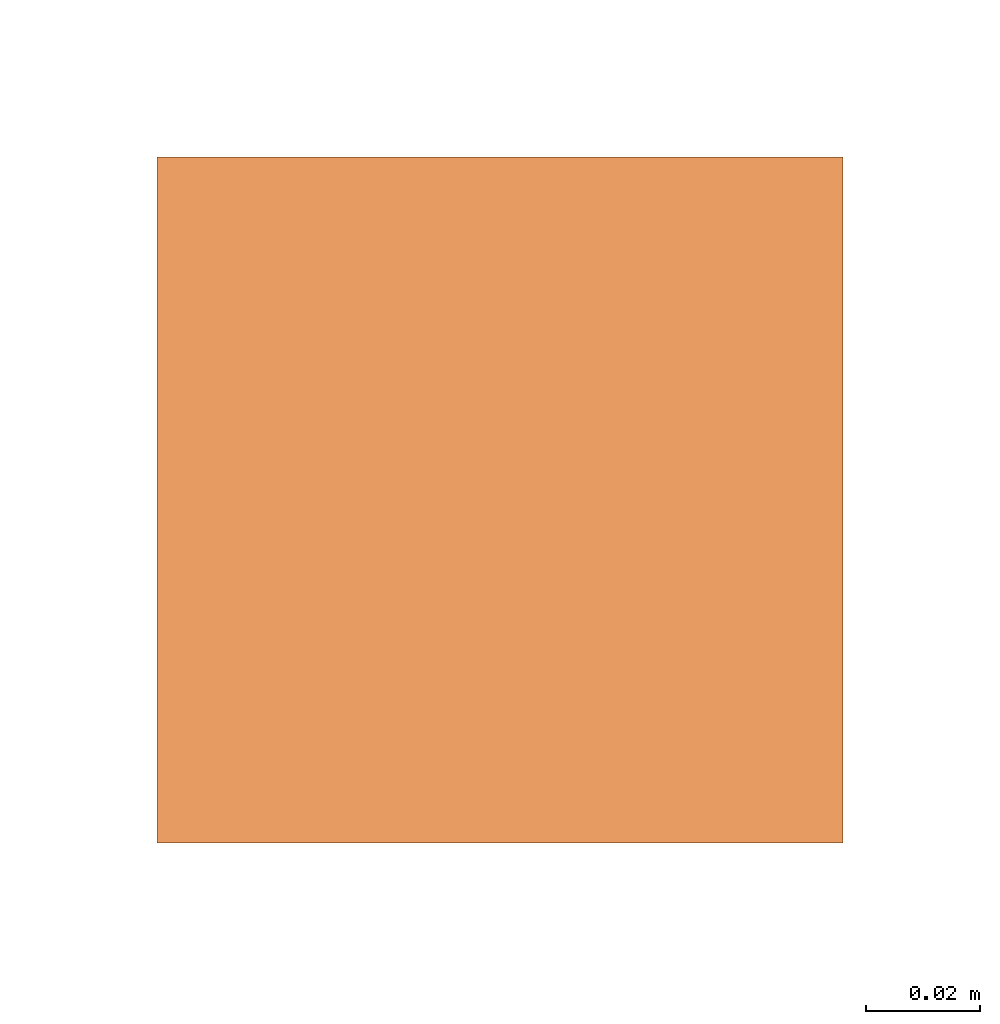
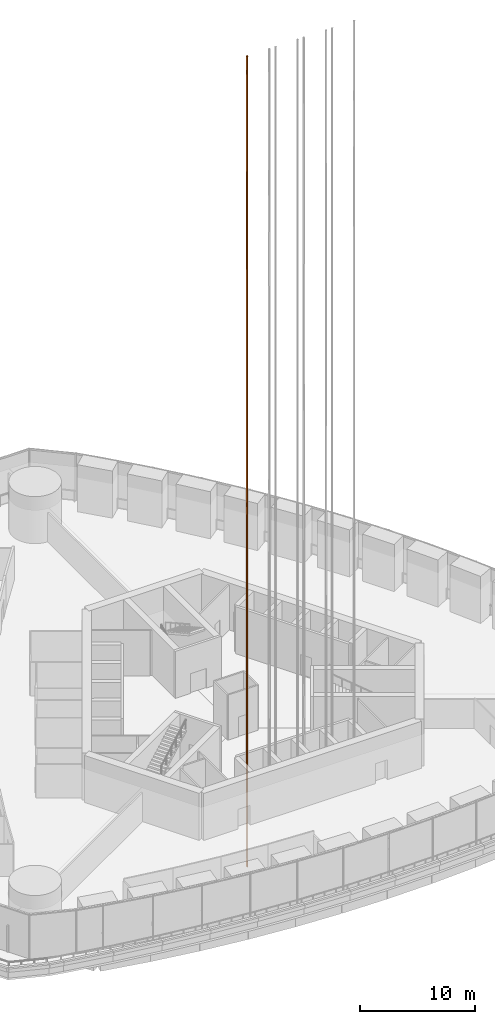
# One storey, part 26 of 33: 1 proxy.
"""IFC4 building model written with IfcOpenShell, lengths in metres."""

from ifc_helpers import new_model, si_unit, direction, frame, origin, origin_2d, place, context, subcontext, project, spatial, rectangle, extrude, element, save


model = new_model("IFC4")

# Units and contexts
model_context = context("Model", 3, precision=1e-05, world=origin(), true_north=direction((0.0, 1.0)))
body_context = subcontext(model_context, "Body", "Model", "MODEL_VIEW")
ifc_project = project(units=[si_unit("LENGTHUNIT", "METRE"), si_unit("AREAUNIT", "SQUARE_METRE"), si_unit("VOLUMEUNIT", "CUBIC_METRE"), si_unit("PLANEANGLEUNIT", "RADIAN"), si_unit("MASSUNIT", "GRAM", prefix="KILO")], contexts=[model_context])

# Site, building, storey
site_placement = place(None, origin())
site = spatial("IfcSite", under=ifc_project, at=site_placement, CompositionType="ELEMENT")
building_placement = place(site_placement, origin())
building = spatial("IfcBuilding", under=site, at=building_placement, Name="Trefoil Bronze Tower", CompositionType="ELEMENT")
storey_placement = place(building_placement, frame((0.0, 0.0, 98.10009765625)))
storey = spatial("IfcBuildingStorey", under=building, at=storey_placement, Name="L22", CompositionType="ELEMENT", Elevation=98.10009765625)

# Proxy
proxy_placement = place(storey_placement, frame((-5.385009765625, -11.3125, -6.0), z_axis=(0.0, 0.0, 1.0), x_axis=(1.0, 0.0, 0.0)))
element("IfcBuildingElementProxy", 1, at=proxy_placement, inside=storey, Name="Lift P21 guide rail 1", ObjectType="LIFT GUIDE RAIL", PredefinedType="USERDEFINED", context=body_context, shape_type="SweptSolid", body=[
    extrude(rectangle(XDim=0.1201171875, YDim=0.1201171875, at=origin_2d()), origin(), (0.0, 0.0, 1.0), 86.25),
])

save(model, "model.ifc")
